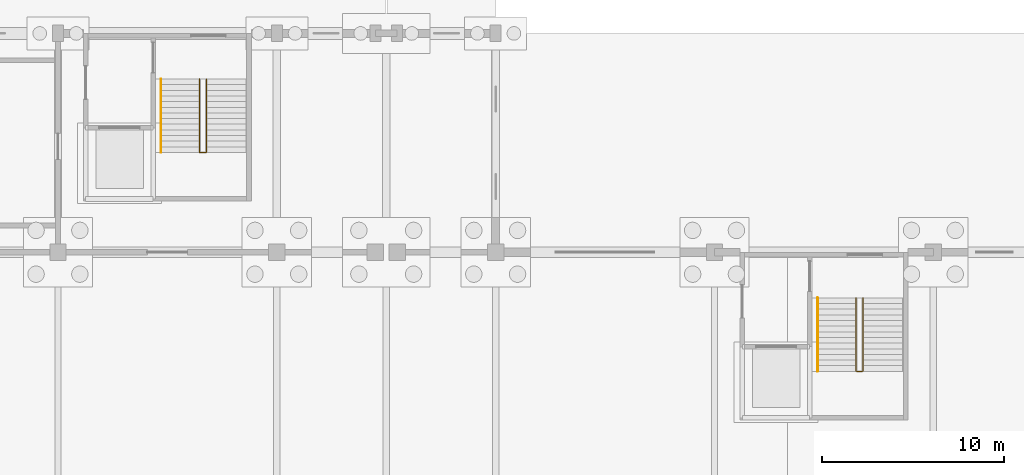
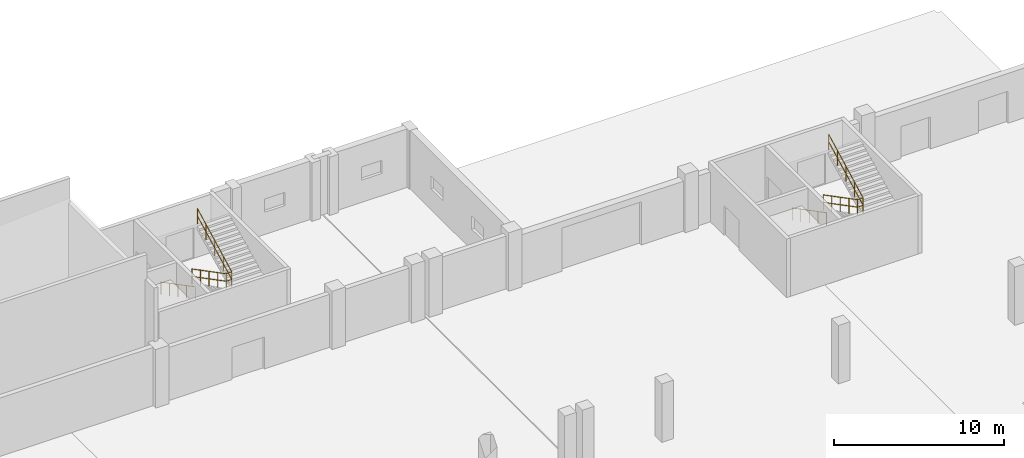
# One storey, part 76 of 77: 4 railings.
"""IFC4 building model written with IfcOpenShell, lengths in metres."""

import ifcopenshell
import ifcopenshell.guid

model = None  # the IFC model being written
_history = None  # IfcOwnerHistory: only IFC2X3 demands one
_inside = {}  # id of a spatial element -> (the spatial element, [elements in it])
_under = {}  # id of a project, library or spatial element -> (it, [spatial elements below it])
_declared = {}  # id of a project -> (the project, [libraries it declares])
_typed = {}  # id of a type object -> (the type object, [elements of that type])
_made_of = {}  # id of a material, layer set ... -> (it, [elements and type objects made of it])


def new_model(schema):
    """Start an empty IFC model of exactly this schema.

    Asked for "IFC4X3", IfcOpenShell would pick the latest addendum, in which some entities
    have other attributes; the version numbers below select the first issue.
    IFC2X3 requires an IfcOwnerHistory on every rooted entity: one is made here for all.
    """
    global model, _history
    if schema == "IFC4X3":
        model = ifcopenshell.file(schema_version=(4, 3, 0, 0))
    else:
        model = ifcopenshell.file(schema=schema)
    _inside.clear()
    _under.clear()
    _declared.clear()
    _typed.clear()
    _made_of.clear()
    _history = None
    if model.schema == "IFC2X3":
        org = make("IfcOrganization", Name="unknown")
        user = make(
            "IfcPersonAndOrganization",
            ThePerson=make("IfcPerson", FamilyName="unknown"),
            TheOrganization=org,
        )
        app = make(
            "IfcApplication",
            ApplicationDeveloper=org,
            Version="unknown",
            ApplicationFullName="unknown",
            ApplicationIdentifier="unknown",
        )
        _history = make(
            "IfcOwnerHistory",
            OwningUser=user,
            OwningApplication=app,
            ChangeAction="ADDED",
            CreationDate=0,
        )
    return model


def make(cls, **values):
    """One entity of the class cls with the attributes given. An attribute that is None is left unset."""
    return model.create_entity(
        cls, **{name: value for name, value in values.items() if value is not None}
    )


def rooted(cls, **values):
    """An entity with a GlobalId (a new one), such as an element, a storey or a relation."""
    return make(cls, GlobalId=ifcopenshell.guid.new(), OwnerHistory=_history, **values)


def si_unit(unit_type, name, prefix=None):
    """IfcSIUnit, for example si_unit("LENGTHUNIT", "METRE", prefix="MILLI")."""
    return make("IfcSIUnit", UnitType=unit_type, Prefix=prefix, Name=name)


def assignment(units):
    """IfcUnitAssignment: the units of a project."""
    return None if units is None else make("IfcUnitAssignment", Units=units)


def point(xyz):
    """IfcCartesianPoint."""
    return None if xyz is None else make("IfcCartesianPoint", Coordinates=xyz)


def direction(xyz):
    """IfcDirection."""
    return None if xyz is None else make("IfcDirection", DirectionRatios=xyz)


def frame(location, z_axis=None, x_axis=None):
    """IfcAxis2Placement3D, a coordinate frame: its origin and axes. An axis left out is left unset."""
    return make(
        "IfcAxis2Placement3D",
        Location=point(location),
        Axis=direction(z_axis),
        RefDirection=direction(x_axis),
    )


def frame_2d(location, x_axis=None):
    """IfcAxis2Placement2D, a coordinate frame in the plane: its origin and x axis."""
    return make(
        "IfcAxis2Placement2D", Location=point(location), RefDirection=direction(x_axis)
    )


def origin():
    """The frame at (0, 0, 0) with its axes left unset."""
    return frame((0.0, 0.0, 0.0))


def origin_2d():
    """The frame at (0, 0) in the plane with its x axis left unset."""
    return frame_2d((0.0, 0.0))


def place(relative_to, where):
    """IfcLocalPlacement: puts the frame where relative to a parent placement (None: the world)."""
    return make(
        "IfcLocalPlacement", PlacementRelTo=relative_to, RelativePlacement=where
    )


def context(
    kind, dimensions, precision=None, world=None, true_north=None, identifier=None
):
    """IfcGeometricRepresentationContext, for example the 3D "Model" context."""
    return make(
        "IfcGeometricRepresentationContext",
        ContextIdentifier=identifier,
        ContextType=kind,
        CoordinateSpaceDimension=dimensions,
        Precision=precision,
        WorldCoordinateSystem=world,
        TrueNorth=true_north,
    )


def subcontext(parent, identifier, kind, view, scale=None):
    """IfcGeometricRepresentationSubContext, for example "Body" below "Model"."""
    return make(
        "IfcGeometricRepresentationSubContext",
        ContextIdentifier=identifier,
        ContextType=kind,
        ParentContext=parent,
        TargetScale=scale,
        TargetView=view,
    )


def project(units=None, contexts=None):
    """IfcProject with its units and contexts."""
    return rooted(
        "IfcProject",
        Name="project",
        RepresentationContexts=contexts,
        UnitsInContext=assignment(units),
    )


def spatial(cls, under=None, at=None, **own):
    """A site, building, storey or space (cls), placed at a placement, below another one or the project."""
    s = rooted(cls, ObjectPlacement=at, **own)
    if under is not None:
        _under.setdefault(under.id(), (under, []))[1].append(s)
    return s


def profile(cls, at=None, kind="AREA", **sizes):
    """A parametric profile (cls). Its sizes go by their IFC names, for example OverallWidth=200.0."""
    return make(cls, ProfileType=kind, Position=at, **sizes)


def circle(**sizes):
    """IfcCircleProfileDef."""
    return profile("IfcCircleProfileDef", **sizes)


def extrude(swept, where, along, depth):
    """IfcExtrudedAreaSolid: the profile swept, set in the frame where, extruded along a direction by depth."""
    return make(
        "IfcExtrudedAreaSolid",
        SweptArea=swept,
        Position=where,
        ExtrudedDirection=direction(along),
        Depth=depth,
    )


def shape(context_of_items, identifier, shape_type, items):
    """IfcShapeRepresentation: the items that make up one representation, for example the "Body"."""
    return make(
        "IfcShapeRepresentation",
        ContextOfItems=context_of_items,
        RepresentationIdentifier=identifier,
        RepresentationType=shape_type,
        Items=items,
    )


def material(Name=None, Category=None):
    """IfcMaterial."""
    return make("IfcMaterial", Name=Name, Category=Category)


def made_of(thing, what):
    """Note that an element or type object is made of a material, layer set ...; save() writes the relation."""
    if what is not None:
        _made_of.setdefault(what.id(), (what, []))[1].append(thing)
    return thing


def type_object(cls, material=None, **own):
    """A type object (cls), such as IfcWallType, which elements share."""
    return made_of(rooted(cls, **own), material)


def element(
    cls,
    number,
    at=None,
    inside=None,
    cuts=None,
    type_object=None,
    material=None,
    context=None,
    identifier="Body",
    shape_type=None,
    held_by="IfcProductDefinitionShape",
    body=None,
    shapes=None,
    **own,
):
    """One element of the class cls, such as IfcWall. Its Tag is "e" and its number.

    at: its placement. inside: the storey or other place that contains it. cuts: it is an
    opening in that element (IfcRelVoidsElement). A single representation is given by context,
    identifier, shape_type and body (its items); several are given by shapes. held_by: the class
    of the entity that holds the representations. save() writes the other relations.
    """
    e = rooted(cls, Tag="e%d" % number, ObjectPlacement=at, **own)
    if body is not None:
        shapes = [shape(context, identifier, shape_type, body)]
    if shapes is not None:
        e.Representation = make(held_by, Representations=shapes)
    if inside is not None:
        _inside.setdefault(inside.id(), (inside, []))[1].append(e)
    if cuts is not None:
        rooted(
            "IfcRelVoidsElement", RelatingBuildingElement=cuts, RelatedOpeningElement=e
        )
    if type_object is not None:
        _typed.setdefault(type_object.id(), (type_object, []))[1].append(e)
    return made_of(e, material)


def aggregate(whole, parts):
    """IfcRelAggregates: a whole, such as a stair, and the parts it consists of."""
    return rooted("IfcRelAggregates", RelatingObject=whole, RelatedObjects=parts)


def save(model, path):
    """Write the relations noted so far, then the file.

    IfcRelAggregates (storeys below a building ...), IfcRelContainedInSpatialStructure (elements
    in a storey), IfcRelDefinesByType, IfcRelAssociatesMaterial and IfcRelDeclares: one each for
    every whole, place, type object, material and project.
    """
    for whole, parts in _under.values():
        aggregate(whole, parts)
    for where, things in _inside.values():
        rooted(
            "IfcRelContainedInSpatialStructure",
            RelatedElements=things,
            RelatingStructure=where,
        )
    for kind, things in _typed.values():
        rooted("IfcRelDefinesByType", RelatedObjects=things, RelatingType=kind)
    for what, things in _made_of.values():
        rooted("IfcRelAssociatesMaterial", RelatedObjects=things, RelatingMaterial=what)
    for by, libraries in _declared.values():
        rooted("IfcRelDeclares", RelatingContext=by, RelatedDefinitions=libraries)
    model.write(path)


model = new_model("IFC4")

# Units and contexts
model_context = context("Model", 3, precision=1e-05, world=origin(), true_north=direction((0.0, 1.0)))
body_context = subcontext(model_context, "Body", "Model", "MODEL_VIEW")
ifc_project = project(units=[si_unit("LENGTHUNIT", "METRE"), si_unit("AREAUNIT", "SQUARE_METRE"), si_unit("VOLUMEUNIT", "CUBIC_METRE"), si_unit("PLANEANGLEUNIT", "RADIAN"), si_unit("MASSUNIT", "GRAM", prefix="KILO")], contexts=[model_context])

# Site, building, storey
site_placement = place(None, origin())
site = spatial("IfcSite", under=ifc_project, at=site_placement, CompositionType="ELEMENT")
building_placement = place(site_placement, origin())
building = spatial("IfcBuilding", under=site, at=building_placement, Name="Zilviju Railside Exhibition Hall", CompositionType="ELEMENT")
storey_placement = place(building_placement, origin())
storey = spatial("IfcBuildingStorey", under=building, at=storey_placement, Name="L01", CompositionType="ELEMENT", Elevation=0.0)

# Railings
ifc_material_1 = material(Name="Brushed bronze tubular stair handrail", Category="steel")
railing_type_1 = type_object("IfcRailingType", Name="RL-HANDRAIL-920", PredefinedType="HANDRAIL", material=ifc_material_1)
for number, where, name in (
    (1, (197.64990234375, 135.5, 0.0), "Core C08 North Hall Rail East Stair Wall Handrail L01"),
    (2, (161.64990234375, 147.5, 0.0), "Core C17 Logistics Wing East Stair Wall Handrail L01"),
):
    element("IfcRailing", number, at=place(storey_placement, frame(where)), inside=storey, type_object=railing_type_1, Name=name, PredefinedType="HANDRAIL", context=body_context, shape_type="SweptSolid", body=[
        extrude(circle(Radius=0.02392578125, at=origin_2d()), frame((0.0, -0.019287109375, 0.906005859375), z_axis=(0.0, -0.88681272381, 0.462128978628), x_axis=(1.0, 0.0, 0.0)), (0.0, 0.0, 1.0), 4.500732421875),
        extrude(circle(Radius=0.02099609375, at=origin_2d()), origin(), (0.0, 0.0, 1.0), 0.919921875),
        extrude(circle(Radius=0.02099609375, at=origin_2d()), frame((0.0, -1.007568359375, 0.52490234375)), (0.0, 0.0, 1.0), 0.919921875),
        extrude(circle(Radius=0.02099609375, at=origin_2d()), frame((0.0, -2.01513671875, 1.050048828125)), (0.0, 0.0, 1.0), 0.919921875),
        extrude(circle(Radius=0.02099609375, at=origin_2d()), frame((0.0, -3.0224609375, 1.5751953125)), (0.0, 0.0, 1.0), 0.919921875),
        extrude(circle(Radius=0.02099609375, at=origin_2d()), frame((0.0, -4.030029296875, 2.10009765625)), (0.0, 0.0, 1.0), 0.919921875),
    ])
ifc_material_2 = material(Name="Wrought-iron and laminated-glass atrium guardrail", Category="glass")
railing_type_2 = type_object("IfcRailingType", Name="RL-INT-GUARD-1120", PredefinedType="GUARDRAIL", material=ifc_material_2)
railing_1_placement = place(storey_placement, frame((199.760009765625, 135.5, 0.0)))
element("IfcRailing", 3, at=railing_1_placement, inside=storey, type_object=railing_type_2, Name="Core C08 North Hall Rail East Stair Well Guardrail L01", PredefinedType="GUARDRAIL", context=body_context, shape_type="SweptSolid", body=[
    extrude(circle(Radius=0.02392578125, at=origin_2d()), frame((0.0, -0.019287109375, 1.106201171875), z_axis=(0.0, -0.88681272381, 0.462128978628), x_axis=(1.0, 0.0, 0.0)), (0.0, 0.0, 1.0), 4.500732421875),
    extrude(circle(Radius=0.02392578125, at=origin_2d()), frame((0.0, -0.019287109375, 0.570068359375), z_axis=(0.0, -0.88681272381, 0.462128978628), x_axis=(1.0, 0.0, 0.0)), (0.0, 0.0, 1.0), 4.500732421875),
    extrude(circle(Radius=0.02392578125, at=origin_2d()), frame((0.021728515625, -4.030029296875, 3.1962890625), z_axis=(1.0, 0.0, 0.0), x_axis=(0.0, 1.0, 0.0)), (0.0, 0.0, 1.0), 0.336181640625),
    extrude(circle(Radius=0.02392578125, at=origin_2d()), frame((0.021728515625, -4.030029296875, 2.66015625), z_axis=(1.0, 0.0, 0.0), x_axis=(0.0, 1.0, 0.0)), (0.0, 0.0, 1.0), 0.336181640625),
    extrude(circle(Radius=0.02392578125, at=origin_2d()), frame((0.3798828125, -4.0107421875, 3.206298828125), z_axis=(0.0, 0.886834740388, 0.462086726969), x_axis=(-1.0, 0.0, 0.0)), (0.0, 0.0, 1.0), 4.500732421875),
    extrude(circle(Radius=0.02392578125, at=origin_2d()), frame((0.3798828125, -4.0107421875, 2.670166015625), z_axis=(0.0, 0.886834740388, 0.462086726969), x_axis=(-1.0, 0.0, 0.0)), (0.0, 0.0, 1.0), 4.500732421875),
    extrude(circle(Radius=0.02099609375, at=origin_2d()), origin(), (0.0, 0.0, 1.0), 1.1201171875),
    extrude(circle(Radius=0.02099609375, at=origin_2d()), frame((0.0, -1.007568359375, 0.52490234375)), (0.0, 0.0, 1.0), 1.1201171875),
    extrude(circle(Radius=0.02099609375, at=origin_2d()), frame((0.0, -2.01513671875, 1.050048828125)), (0.0, 0.0, 1.0), 1.1201171875),
    extrude(circle(Radius=0.02099609375, at=origin_2d()), frame((0.0, -3.0224609375, 1.5751953125)), (0.0, 0.0, 1.0), 1.1201171875),
    extrude(circle(Radius=0.02099609375, at=origin_2d()), frame((0.0, -4.030029296875, 2.10009765625)), (0.0, 0.0, 1.0), 1.1201171875),
    extrude(circle(Radius=0.02099609375, at=origin_2d()), frame((0.3798828125, -4.030029296875, 2.10009765625)), (0.0, 0.0, 1.0), 1.1201171875),
    extrude(circle(Radius=0.02099609375, at=origin_2d()), frame((0.3798828125, -3.0224609375, 2.625)), (0.0, 0.0, 1.0), 1.1201171875),
    extrude(circle(Radius=0.02099609375, at=origin_2d()), frame((0.3798828125, -2.01513671875, 3.14990234375)), (0.0, 0.0, 1.0), 1.1201171875),
    extrude(circle(Radius=0.02099609375, at=origin_2d()), frame((0.3798828125, -1.007568359375, 3.675048828125)), (0.0, 0.0, 1.0), 1.1201171875),
    extrude(circle(Radius=0.02099609375, at=origin_2d()), frame((0.3798828125, 0.0, 4.199951171875)), (0.0, 0.0, 1.0), 1.1201171875),
])
railing_2_placement = place(storey_placement, frame((163.760009765625, 147.5, 0.0)))
element("IfcRailing", 4, at=railing_2_placement, inside=storey, type_object=railing_type_2, Name="Core C17 Logistics Wing East Stair Well Guardrail L01", PredefinedType="GUARDRAIL", context=body_context, shape_type="SweptSolid", body=[
    extrude(circle(Radius=0.02392578125, at=origin_2d()), frame((0.0, -0.019287109375, 1.106201171875), z_axis=(0.0, -0.88681272381, 0.462128978628), x_axis=(1.0, 0.0, 0.0)), (0.0, 0.0, 1.0), 4.500732421875),
    extrude(circle(Radius=0.02392578125, at=origin_2d()), frame((0.0, -0.019287109375, 0.570068359375), z_axis=(0.0, -0.88681272381, 0.462128978628), x_axis=(1.0, 0.0, 0.0)), (0.0, 0.0, 1.0), 4.500732421875),
    extrude(circle(Radius=0.02392578125, at=origin_2d()), frame((0.021728515625, -4.030029296875, 3.1962890625), z_axis=(1.0, 0.0, 0.0), x_axis=(0.0, 1.0, 0.0)), (0.0, 0.0, 1.0), 0.336181640625),
    extrude(circle(Radius=0.02392578125, at=origin_2d()), frame((0.021728515625, -4.030029296875, 2.66015625), z_axis=(1.0, 0.0, 0.0), x_axis=(0.0, 1.0, 0.0)), (0.0, 0.0, 1.0), 0.336181640625),
    extrude(circle(Radius=0.02392578125, at=origin_2d()), frame((0.3798828125, -4.0107421875, 3.206298828125), z_axis=(0.0, 0.886834740388, 0.462086726969), x_axis=(-1.0, 0.0, 0.0)), (0.0, 0.0, 1.0), 4.500732421875),
    extrude(circle(Radius=0.02392578125, at=origin_2d()), frame((0.3798828125, -4.0107421875, 2.670166015625), z_axis=(0.0, 0.886834740388, 0.462086726969), x_axis=(-1.0, 0.0, 0.0)), (0.0, 0.0, 1.0), 4.500732421875),
    extrude(circle(Radius=0.02099609375, at=origin_2d()), origin(), (0.0, 0.0, 1.0), 1.1201171875),
    extrude(circle(Radius=0.02099609375, at=origin_2d()), frame((0.0, -1.007568359375, 0.52490234375)), (0.0, 0.0, 1.0), 1.1201171875),
    extrude(circle(Radius=0.02099609375, at=origin_2d()), frame((0.0, -2.01513671875, 1.050048828125)), (0.0, 0.0, 1.0), 1.1201171875),
    extrude(circle(Radius=0.02099609375, at=origin_2d()), frame((0.0, -3.0224609375, 1.5751953125)), (0.0, 0.0, 1.0), 1.1201171875),
    extrude(circle(Radius=0.02099609375, at=origin_2d()), frame((0.0, -4.030029296875, 2.10009765625)), (0.0, 0.0, 1.0), 1.1201171875),
    extrude(circle(Radius=0.02099609375, at=origin_2d()), frame((0.3798828125, -4.030029296875, 2.10009765625)), (0.0, 0.0, 1.0), 1.1201171875),
    extrude(circle(Radius=0.02099609375, at=origin_2d()), frame((0.3798828125, -3.0224609375, 2.625)), (0.0, 0.0, 1.0), 1.1201171875),
    extrude(circle(Radius=0.02099609375, at=origin_2d()), frame((0.3798828125, -2.01513671875, 3.14990234375)), (0.0, 0.0, 1.0), 1.1201171875),
    extrude(circle(Radius=0.02099609375, at=origin_2d()), frame((0.3798828125, -1.007568359375, 3.675048828125)), (0.0, 0.0, 1.0), 1.1201171875),
    extrude(circle(Radius=0.02099609375, at=origin_2d()), frame((0.3798828125, 0.0, 4.199951171875)), (0.0, 0.0, 1.0), 1.1201171875),
])

save(model, "model.ifc")
